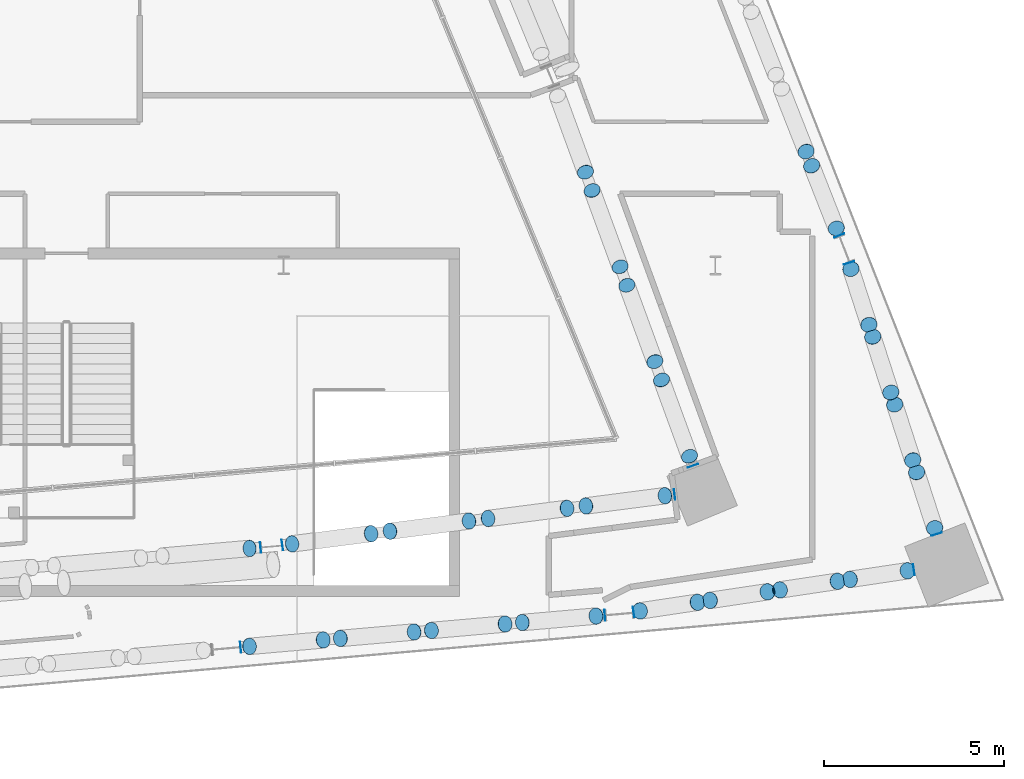
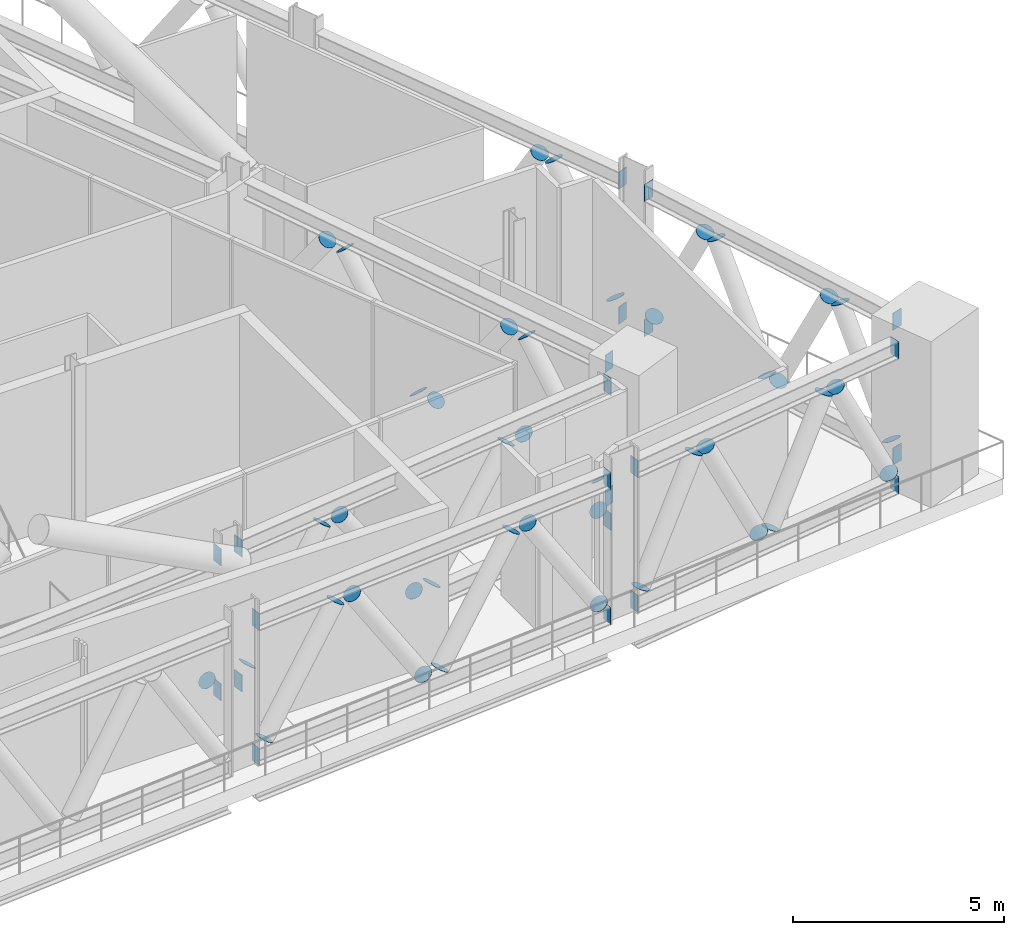
# One storey, part 34 of 42: 65 discrete accessories.
"""IFC4 building model written with IfcOpenShell, lengths in metres."""

from ifc_helpers import new_model, si_unit, direction, frame, origin, origin_2d, place, context, subcontext, project, spatial, rectangle, circle, extrude, material, material_profile, profile_set, type_object, element, save


model = new_model("IFC4")

# Units and contexts
model_context = context("Model", 3, precision=1e-05, world=origin(), true_north=direction((0.0, 1.0)))
body_context = subcontext(model_context, "Body", "Model", "MODEL_VIEW")
ifc_project = project(units=[si_unit("LENGTHUNIT", "METRE"), si_unit("AREAUNIT", "SQUARE_METRE"), si_unit("VOLUMEUNIT", "CUBIC_METRE"), si_unit("PLANEANGLEUNIT", "RADIAN"), si_unit("MASSUNIT", "GRAM", prefix="KILO")], contexts=[model_context])

# Site, building, storey
site_placement = place(None, origin())
site = spatial("IfcSite", under=ifc_project, at=site_placement, CompositionType="ELEMENT")
building_placement = place(site_placement, origin())
building = spatial("IfcBuilding", under=site, at=building_placement, Name="Wharfspan Tower", CompositionType="ELEMENT")
storey_placement = place(building_placement, frame((0.0, 0.0, 147.100098)))
storey = spatial("IfcBuildingStorey", under=building, at=storey_placement, Name="L35", CompositionType="ELEMENT", Elevation=147.100098)

# Discrete accessories
ifc_material_1 = material(Name="Steel S460NH", Category="steel")
ifc_material_profile_1 = material_profile(ifc_material_1, circle(Radius=0.228516, at=origin_2d()))
ifc_profile_set_1 = profile_set([ifc_material_profile_1], Name="Steel S460NH")
discrete_accessory_type_1 = type_object("IfcDiscreteAccessoryType", Name="End plate CHS 457x16", PredefinedType="BRACKET", material=ifc_profile_set_1)
for number, where, z_axis, x_axis, name in (
    (1, (71.050781, 3.631348, 0.640137), (0.614899, 0.049192, -0.78707), (-0.079745, 0.996811, 0.0), "End plate CHS 457x16"),
    (2, (72.230225, 3.758301, 0.623291), (0.586588, 0.073324, 0.806559), (-0.124036, 0.992281, 0.0), "End plate CHS 457x16"),
):
    element("IfcDiscreteAccessory", number, at=place(storey_placement, frame(where, z_axis=z_axis, x_axis=x_axis)), inside=storey, type_object=discrete_accessory_type_1, Name=name, PredefinedType="BRACKET", context=body_context, shape_type="SweptSolid", body=[
        extrude(circle(Radius=0.228516, at=origin_2d()), origin(), (0.0, 0.0, 1.0), 0.01001),
    ])
for number, where, z_axis, x_axis, name in (
    (3, (74.42627, 4.041748, 3.768311), (0.575191, 0.071899, 0.814853), (-0.124036, 0.992275, 1e-06), "End plate CHS 457x16"),
    (4, (74.953369, 4.109863, 3.776611), (0.575191, 0.071899, -0.814853), (-0.124036, 0.992275, -1e-06), "End plate CHS 457x16"),
):
    element("IfcDiscreteAccessory", number, at=place(storey_placement, frame(where, z_axis=z_axis, x_axis=x_axis)), inside=storey, type_object=discrete_accessory_type_1, Name=name, PredefinedType="BRACKET", context=body_context, shape_type="SweptSolid", body=[
        extrude(circle(Radius=0.228516, at=origin_2d()), origin(), (0.0, 0.0, 1.0), 0.010254),
    ])
for number, where, z_axis, x_axis, name in (
    (5, (77.149658, 4.393555, 0.631348), (0.570209, 0.074375, -0.818126), (-0.129339, 0.9916, 0.0), "End plate CHS 457x16"),
    (6, (77.676758, 4.46167, 0.623291), (0.570209, 0.074375, 0.818126), (-0.129339, 0.9916, 0.0), "End plate CHS 457x16"),
):
    element("IfcDiscreteAccessory", number, at=place(storey_placement, frame(where, z_axis=z_axis, x_axis=x_axis)), inside=storey, type_object=discrete_accessory_type_1, Name=name, PredefinedType="BRACKET", context=body_context, shape_type="SweptSolid", body=[
        extrude(circle(Radius=0.228516, at=origin_2d()), origin(), (0.0, 0.0, 1.0), 0.009766),
    ])
for number, where, z_axis, x_axis, name in (
    (7, (79.872803, 4.745117, 3.768311), (0.558819, 0.072889, 0.82608), (-0.129337, 0.991601, -1e-06), "End plate CHS 457x16"),
    (8, (80.399902, 4.813232, 3.776611), (0.558819, 0.072889, -0.82608), (-0.129337, 0.991601, 1e-06), "End plate CHS 457x16"),
):
    element("IfcDiscreteAccessory", number, at=place(storey_placement, frame(where, z_axis=z_axis, x_axis=x_axis)), inside=storey, type_object=discrete_accessory_type_1, Name=name, PredefinedType="BRACKET", context=body_context, shape_type="SweptSolid", body=[
        extrude(circle(Radius=0.228516, at=origin_2d()), origin(), (0.0, 0.0, 1.0), 0.01001),
    ])
discrete_accessory_1_placement = place(storey_placement, frame((82.595947, 5.096924, 0.631348), z_axis=(0.570209, 0.074375, -0.818126), x_axis=(-0.129339, 0.9916, 0.0)))
element("IfcDiscreteAccessory", 9, at=discrete_accessory_1_placement, inside=storey, type_object=discrete_accessory_type_1, Name="End plate CHS 457x16", PredefinedType="BRACKET", context=body_context, shape_type="SweptSolid", body=[
    extrude(circle(Radius=0.228516, at=origin_2d()), origin(), (0.0, 0.0, 1.0), 0.009766),
])
for number, where, z_axis, x_axis, name in (
    (10, (83.281738, 6.188965, 0.625244), (-0.218346, 0.557996, 0.800603), (-0.931243, -0.364399, 0.0), "End plate CHS 457x16"),
    (11, (82.504883, 8.310303, 3.766602), (-0.218346, 0.557996, 0.800603), (-0.931243, -0.364399, 0.0), "End plate CHS 457x16"),
):
    element("IfcDiscreteAccessory", number, at=place(storey_placement, frame(where, z_axis=z_axis, x_axis=x_axis)), inside=storey, type_object=discrete_accessory_type_1, Name=name, PredefinedType="BRACKET", context=body_context, shape_type="SweptSolid", body=[
        extrude(circle(Radius=0.228516, at=origin_2d()), origin(), (0.0, 0.0, 1.0), 0.01001),
    ])
for number, where, z_axis, x_axis, name in (
    (12, (82.317139, 8.822754, 3.774658), (-0.197727, 0.543749, -0.815623), (-0.939797, -0.341743, 1e-06), "End plate CHS 457x16"),
    (13, (81.540283, 10.944092, 0.633301), (-0.197727, 0.543749, -0.815623), (-0.939797, -0.341743, 1e-06), "End plate CHS 457x16"),
):
    element("IfcDiscreteAccessory", number, at=place(storey_placement, frame(where, z_axis=z_axis, x_axis=x_axis)), inside=storey, type_object=discrete_accessory_type_1, Name=name, PredefinedType="BRACKET", context=body_context, shape_type="SweptSolid", body=[
        extrude(circle(Radius=0.228516, at=origin_2d()), origin(), (0.0, 0.0, 1.0), 0.009766),
    ])
for number, where, z_axis, x_axis, name in (
    (14, (81.352539, 11.456299, 0.625244), (-0.195064, 0.560809, 0.804639), (-0.944495, -0.32852, 0.0), "End plate CHS 457x16"),
    (15, (80.575684, 13.577637, 3.766602), (-0.195064, 0.560809, 0.804639), (-0.944495, -0.32852, 0.0), "End plate CHS 457x16"),
):
    element("IfcDiscreteAccessory", number, at=place(storey_placement, frame(where, z_axis=z_axis, x_axis=x_axis)), inside=storey, type_object=discrete_accessory_type_1, Name=name, PredefinedType="BRACKET", context=body_context, shape_type="SweptSolid", body=[
        extrude(circle(Radius=0.228516, at=origin_2d()), origin(), (0.0, 0.0, 1.0), 0.01001),
    ])
discrete_accessory_2_placement = place(storey_placement, frame((80.388184, 14.090088, 3.774658), z_axis=(-0.197727, 0.543749, -0.815623), x_axis=(-0.939797, -0.341743, 1e-06)))
element("IfcDiscreteAccessory", 16, at=discrete_accessory_2_placement, inside=storey, type_object=discrete_accessory_type_1, Name="End plate CHS 457x16", PredefinedType="BRACKET", context=body_context, shape_type="SweptSolid", body=[
    extrude(circle(Radius=0.228516, at=origin_2d()), origin(), (0.0, 0.0, 1.0), 0.009766),
])
for number, where, z_axis, x_axis, name in (
    (17, (71.046875, 0.908936, 0.616211), (0.559645, 0.048665, 0.827302), (-0.086627, 0.99624, -2e-06), "End plate CHS 457x16"),
    (18, (73.094971, 1.088135, 3.775391), (0.54259, 0.049326, 0.838548), (-0.090535, 0.995892, 0.0), "End plate CHS 457x16"),
    (19, (73.575195, 1.130127, 3.783691), (0.54259, 0.049326, -0.838548), (-0.090535, 0.995892, 0.0), "End plate CHS 457x16"),
    (20, (75.623047, 1.309326, 0.624512), (0.559645, 0.048665, -0.827302), (-0.086627, 0.99624, 2e-06), "End plate CHS 457x16"),
    (21, (76.103516, 1.351318, 0.616211), (0.54259, 0.049326, 0.838548), (-0.090535, 0.995892, 0.0), "End plate CHS 457x16"),
    (22, (78.151367, 1.530518, 3.775391), (0.54259, 0.049326, 0.838548), (-0.090535, 0.995892, 0.0), "End plate CHS 457x16"),
    (23, (78.631592, 1.57251, 3.783691), (0.559645, 0.048665, -0.827302), (-0.086627, 0.99624, 2e-06), "End plate CHS 457x16"),
    (24, (80.679688, 1.751709, 0.624512), (0.54259, 0.049326, -0.838548), (-0.090535, 0.995892, 0.0), "End plate CHS 457x16"),
):
    element("IfcDiscreteAccessory", number, at=place(storey_placement, frame(where, z_axis=z_axis, x_axis=x_axis)), inside=storey, type_object=discrete_accessory_type_1, Name=name, PredefinedType="BRACKET", context=body_context, shape_type="SweptSolid", body=[
        extrude(circle(Radius=0.228516, at=origin_2d()), origin(), (0.0, 0.0, 1.0), 0.01001),
    ])
discrete_accessory_3_placement = place(storey_placement, frame((81.902832, 1.894775, 0.593994), z_axis=(0.446663, 0.049629, 0.893325), x_axis=(-0.110431, 0.993883, 0.0)))
element("IfcDiscreteAccessory", 25, at=discrete_accessory_3_placement, inside=storey, type_object=discrete_accessory_type_1, Name="End plate CHS 457x16", PredefinedType="BRACKET", context=body_context, shape_type="SweptSolid", body=[
    extrude(circle(Radius=0.228516, at=origin_2d()), origin(), (0.0, 0.0, 1.0), 0.009766),
])
discrete_accessory_4_placement = place(storey_placement, frame((83.500732, 2.134521, 3.796875), z_axis=(0.455621, 0.07194, 0.887262), x_axis=(-0.155964, 0.987762, 1e-06)))
element("IfcDiscreteAccessory", 26, at=discrete_accessory_4_placement, inside=storey, type_object=discrete_accessory_type_1, Name="End plate CHS 457x16", PredefinedType="BRACKET", context=body_context, shape_type="SweptSolid", body=[
    extrude(circle(Radius=0.228516, at=origin_2d()), origin(), (0.0, 0.0, 1.0), 0.010254),
])
discrete_accessory_5_placement = place(storey_placement, frame((83.848633, 2.186768, 3.805908), z_axis=(0.43695, 0.04855, -0.898175), x_axis=(-0.110432, 0.993888, 0.0)))
element("IfcDiscreteAccessory", 27, at=discrete_accessory_5_placement, inside=storey, type_object=discrete_accessory_type_1, Name="End plate CHS 457x16", PredefinedType="BRACKET", context=body_context, shape_type="SweptSolid", body=[
    extrude(circle(Radius=0.228516, at=origin_2d()), origin(), (0.0, 0.0, 1.0), 0.01001),
])
for number, where, z_axis, x_axis, name in (
    (28, (85.446533, 2.426514, 0.602783), (0.445976, 0.074329, -0.891953), (-0.164398, 0.986392, 0.0), "End plate CHS 457x16"),
    (29, (85.794189, 2.47876, 0.593994), (0.445976, 0.074329, 0.891953), (-0.164398, 0.986392, 0.0), "End plate CHS 457x16"),
):
    element("IfcDiscreteAccessory", number, at=place(storey_placement, frame(where, z_axis=z_axis, x_axis=x_axis)), inside=storey, type_object=discrete_accessory_type_1, Name=name, PredefinedType="BRACKET", context=body_context, shape_type="SweptSolid", body=[
        extrude(circle(Radius=0.228516, at=origin_2d()), origin(), (0.0, 0.0, 1.0), 0.009766),
    ])
for number, where, z_axis, x_axis, name in (
    (30, (87.392334, 2.718506, 3.796875), (0.436308, 0.072718, 0.896854), (-0.164399, 0.986394, 0.0), "End plate CHS 457x16"),
    (31, (87.73999, 2.770752, 3.805908), (0.436308, 0.072718, -0.896854), (-0.164399, 0.986394, 0.0), "End plate CHS 457x16"),
    (32, (89.337891, 3.010498, 0.602783), (0.465496, 0.073499, -0.881993), (-0.155964, 0.987765, -1e-06), "End plate CHS 457x16"),
    (33, (90.095703, 4.198242, 0.594482), (-0.123278, 0.443802, 0.887605), (-0.963521, -0.267644, 0.0), "End plate CHS 457x16"),
    (34, (89.595459, 5.744385, 3.796387), (-0.120631, 0.434271, 0.892668), (-0.963517, -0.267644, 0.0), "End plate CHS 457x16"),
    (35, (89.486572, 6.081543, 3.80542), (-0.145779, 0.41304, -0.89897), (-0.942986, -0.332819, 0.0), "End plate CHS 457x16"),
):
    element("IfcDiscreteAccessory", number, at=place(storey_placement, frame(where, z_axis=z_axis, x_axis=x_axis)), inside=storey, type_object=discrete_accessory_type_1, Name=name, PredefinedType="BRACKET", context=body_context, shape_type="SweptSolid", body=[
        extrude(circle(Radius=0.228516, at=origin_2d()), origin(), (0.0, 0.0, 1.0), 0.01001),
    ])
discrete_accessory_6_placement = place(storey_placement, frame((88.986328, 7.627686, 0.603271), z_axis=(-0.149025, 0.422238, -0.894151), x_axis=(-0.942994, -0.332821, 0.0)))
element("IfcDiscreteAccessory", 36, at=discrete_accessory_6_placement, inside=storey, type_object=discrete_accessory_type_1, Name="End plate CHS 457x16", PredefinedType="BRACKET", context=body_context, shape_type="SweptSolid", body=[
    extrude(circle(Radius=0.228516, at=origin_2d()), origin(), (0.0, 0.0, 1.0), 0.009766),
])
discrete_accessory_7_placement = place(storey_placement, frame((88.877197, 7.9646, 0.594482), z_axis=(-0.147442, 0.442326, 0.884652), x_axis=(-0.948684, -0.316228, 0.0)))
element("IfcDiscreteAccessory", 37, at=discrete_accessory_7_placement, inside=storey, type_object=discrete_accessory_type_1, Name="End plate CHS 457x16", PredefinedType="BRACKET", context=body_context, shape_type="SweptSolid", body=[
    extrude(circle(Radius=0.228516, at=origin_2d()), origin(), (0.0, 0.0, 1.0), 0.01001),
])
discrete_accessory_8_placement = place(storey_placement, frame((88.376953, 9.510742, 3.796387), z_axis=(-0.144296, 0.432887, 0.889824), x_axis=(-0.948685, -0.316227, -1e-06)))
element("IfcDiscreteAccessory", 38, at=discrete_accessory_8_placement, inside=storey, type_object=discrete_accessory_type_1, Name="End plate CHS 457x16", PredefinedType="BRACKET", context=body_context, shape_type="SweptSolid", body=[
    extrude(circle(Radius=0.228516, at=origin_2d()), origin(), (0.0, 0.0, 1.0), 0.010254),
])
for number, where, z_axis, x_axis, name in (
    (39, (88.267822, 9.847656, 3.80542), (-0.120631, 0.434271, -0.892668), (-0.963517, -0.267644, 0.0), "End plate CHS 457x16"),
    (40, (87.767578, 11.393799, 0.603271), (-0.123278, 0.443802, -0.887605), (-0.963521, -0.267644, 0.0), "End plate CHS 457x16"),
):
    element("IfcDiscreteAccessory", number, at=place(storey_placement, frame(where, z_axis=z_axis, x_axis=x_axis)), inside=storey, type_object=discrete_accessory_type_1, Name=name, PredefinedType="BRACKET", context=body_context, shape_type="SweptSolid", body=[
        extrude(circle(Radius=0.228516, at=origin_2d()), origin(), (0.0, 0.0, 1.0), 0.01001),
    ])
discrete_accessory_9_placement = place(storey_placement, frame((87.361084, 12.526855, 0.607178), z_axis=(-0.173117, 0.469888, 0.865584), x_axis=(-0.938346, -0.345709, 1e-06)))
element("IfcDiscreteAccessory", 41, at=discrete_accessory_9_placement, inside=storey, type_object=discrete_accessory_type_1, Name="End plate CHS 457x16", PredefinedType="BRACKET", context=body_context, shape_type="SweptSolid", body=[
    extrude(circle(Radius=0.228516, at=origin_2d()), origin(), (0.0, 0.0, 1.0), 0.009766),
])
discrete_accessory_10_placement = place(storey_placement, frame((86.677734, 14.266113, 3.783936), z_axis=(-0.190693, 0.476731, 0.858116), x_axis=(-0.928477, -0.371392, 0.0)))
element("IfcDiscreteAccessory", 42, at=discrete_accessory_10_placement, inside=storey, type_object=discrete_accessory_type_1, Name="End plate CHS 457x16", PredefinedType="BRACKET", context=body_context, shape_type="SweptSolid", body=[
    extrude(circle(Radius=0.228516, at=origin_2d()), origin(), (0.0, 0.0, 1.0), 0.010254),
])
discrete_accessory_11_placement = place(storey_placement, frame((86.521973, 14.662109, 3.792725), z_axis=(-0.169476, 0.460007, -0.871592), x_axis=(-0.938346, -0.345704, 1e-06)))
element("IfcDiscreteAccessory", 43, at=discrete_accessory_11_placement, inside=storey, type_object=discrete_accessory_type_1, Name="End plate CHS 457x16", PredefinedType="BRACKET", context=body_context, shape_type="SweptSolid", body=[
    extrude(circle(Radius=0.228516, at=origin_2d()), origin(), (0.0, 0.0, 1.0), 0.01001),
])
ifc_material_2 = material(Name="Steel S355J2", Category="steel")
ifc_material_profile_2 = material_profile(ifc_material_2, rectangle(XDim=0.300049, YDim=0.5, at=origin_2d()))
ifc_profile_set_2 = profile_set([ifc_material_profile_2], Name="Steel S355J2")
discrete_accessory_type_2 = type_object("IfcDiscreteAccessoryType", Name="End plate HEB 500", PredefinedType="BRACKET", material=ifc_profile_set_2)
for number, where, z_axis, x_axis, name in (
    (44, (71.353027, 3.657715, 4.149902), (0.995275, 0.0971, 0.0), (-0.0971, 0.995275, 0.0), "End plate HEB 500"),
    (45, (71.353027, 3.657715, 0.25), (0.995275, 0.0971, 0.0), (-0.0971, 0.995275, 0.0), "End plate HEB 500"),
    (46, (71.959717, 3.723145, 4.149902), (0.989461, 0.144799, 0.0), (-0.144799, 0.989461, 0.0), "End plate HEB 500"),
):
    element("IfcDiscreteAccessory", number, at=place(storey_placement, frame(where, z_axis=z_axis, x_axis=x_axis)), inside=storey, type_object=discrete_accessory_type_2, Name=name, PredefinedType="BRACKET", context=body_context, shape_type="SweptSolid", body=[
        extrude(rectangle(XDim=0.300049, YDim=0.5, at=origin_2d()), origin(), (0.0, 0.0, 1.0), 0.01001),
    ])
discrete_accessory_12_placement = place(storey_placement, frame((82.862305, 5.131348, 4.149902), z_axis=(0.992278, 0.124035, 0.0), x_axis=(-0.124035, 0.992278, 0.0)))
element("IfcDiscreteAccessory", 47, at=discrete_accessory_12_placement, inside=storey, type_object=discrete_accessory_type_2, Name="End plate HEB 500", PredefinedType="BRACKET", context=body_context, shape_type="SweptSolid", body=[
    extrude(rectangle(XDim=0.300049, YDim=0.5, at=origin_2d()), origin(), (0.0, 0.0, 1.0), 0.009766),
])
discrete_accessory_13_placement = place(storey_placement, frame((71.959717, 3.723145, 0.25), z_axis=(0.989461, 0.144799, 0.0), x_axis=(-0.144799, 0.989461, 0.0)))
element("IfcDiscreteAccessory", 48, at=discrete_accessory_13_placement, inside=storey, type_object=discrete_accessory_type_2, Name="End plate HEB 500", PredefinedType="BRACKET", context=body_context, shape_type="SweptSolid", body=[
    extrude(rectangle(XDim=0.300049, YDim=0.5, at=origin_2d()), origin(), (0.0, 0.0, 1.0), 0.01001),
])
for number, where, z_axis, x_axis, name in (
    (49, (82.862305, 5.131348, 0.25), (0.992278, 0.124035, 0.0), (-0.124035, 0.992278, 0.0), "End plate HEB 500"),
    (50, (83.37793, 5.92627, 4.149902), (-0.345705, 0.938343, 0.0), (-0.938343, -0.345705, 0.0), "End plate HEB 500"),
    (51, (83.37793, 5.92627, 0.25), (-0.345705, 0.938343, 0.0), (-0.938343, -0.345705, 0.0), "End plate HEB 500"),
):
    element("IfcDiscreteAccessory", number, at=place(storey_placement, frame(where, z_axis=z_axis, x_axis=x_axis)), inside=storey, type_object=discrete_accessory_type_2, Name=name, PredefinedType="BRACKET", context=body_context, shape_type="SweptSolid", body=[
        extrude(rectangle(XDim=0.300049, YDim=0.5, at=origin_2d()), origin(), (0.0, 0.0, 1.0), 0.009766),
    ])
for number, where, z_axis, x_axis, name in (
    (52, (70.799561, 0.887207, 4.149902), (0.995275, 0.0971, 0.0), (-0.0971, 0.995275, 0.0), "End plate HEB 500"),
    (53, (80.922363, 1.772949, 4.149902), (0.997334, 0.072976, 0.0), (-0.072976, 0.997334, 0.0), "End plate HEB 500"),
    (54, (70.799561, 0.887207, 0.25), (0.995275, 0.0971, 0.0), (-0.0971, 0.995275, 0.0), "End plate HEB 500"),
    (55, (80.922363, 1.772949, 0.25), (0.997334, 0.072976, 0.0), (-0.072976, 0.997334, 0.0), "End plate HEB 500"),
    (56, (81.721191, 1.867432, 4.149902), (0.989461, 0.144799, 0.0), (-0.144799, 0.989461, 0.0), "End plate HEB 500"),
):
    element("IfcDiscreteAccessory", number, at=place(storey_placement, frame(where, z_axis=z_axis, x_axis=x_axis)), inside=storey, type_object=discrete_accessory_type_2, Name=name, PredefinedType="BRACKET", context=body_context, shape_type="SweptSolid", body=[
        extrude(rectangle(XDim=0.300049, YDim=0.5, at=origin_2d()), origin(), (0.0, 0.0, 1.0), 0.01001),
    ])
discrete_accessory_14_placement = place(storey_placement, frame((89.51416, 3.037109, 4.149902), z_axis=(0.988936, 0.14834, 0.0), x_axis=(-0.14834, 0.988936, 0.0)))
element("IfcDiscreteAccessory", 57, at=discrete_accessory_14_placement, inside=storey, type_object=discrete_accessory_type_2, Name="End plate HEB 500", PredefinedType="BRACKET", context=body_context, shape_type="SweptSolid", body=[
    extrude(rectangle(XDim=0.300049, YDim=0.5, at=origin_2d()), origin(), (0.0, 0.0, 1.0), 0.009766),
])
discrete_accessory_15_placement = place(storey_placement, frame((81.721191, 1.867432, 0.25), z_axis=(0.989461, 0.144799, 0.0), x_axis=(-0.144799, 0.989461, 0.0)))
element("IfcDiscreteAccessory", 58, at=discrete_accessory_15_placement, inside=storey, type_object=discrete_accessory_type_2, Name="End plate HEB 500", PredefinedType="BRACKET", context=body_context, shape_type="SweptSolid", body=[
    extrude(rectangle(XDim=0.300049, YDim=0.5, at=origin_2d()), origin(), (0.0, 0.0, 1.0), 0.01001),
])
discrete_accessory_16_placement = place(storey_placement, frame((89.51416, 3.037109, 0.25), z_axis=(0.988936, 0.14834, 0.0), x_axis=(-0.14834, 0.988936, 0.0)))
element("IfcDiscreteAccessory", 59, at=discrete_accessory_16_placement, inside=storey, type_object=discrete_accessory_type_2, Name="End plate HEB 500", PredefinedType="BRACKET", context=body_context, shape_type="SweptSolid", body=[
    extrude(rectangle(XDim=0.300049, YDim=0.5, at=origin_2d()), origin(), (0.0, 0.0, 1.0), 0.009766),
])
for number, where, z_axis, x_axis, name in (
    (60, (90.152588, 4.022461, 4.149902), (-0.294086, 0.955779, 0.0), (-0.955779, -0.294086, 0.0), "End plate HEB 500"),
    (61, (87.712402, 11.564453, 4.149902), (-0.294086, 0.955779, 0.0), (-0.955779, -0.294086, 0.0), "End plate HEB 500"),
    (62, (90.152588, 4.022461, 0.25), (-0.294086, 0.955779, 0.0), (-0.955779, -0.294086, 0.0), "End plate HEB 500"),
    (63, (87.712402, 11.564453, 0.25), (-0.294086, 0.955779, 0.0), (-0.955779, -0.294086, 0.0), "End plate HEB 500"),
    (64, (87.44165, 12.322021, 4.149902), (-0.367167, 0.930155, 0.0), (-0.930155, -0.367167, 0.0), "End plate HEB 500"),
    (65, (87.44165, 12.322021, 0.25), (-0.367167, 0.930155, 0.0), (-0.930155, -0.367167, 0.0), "End plate HEB 500"),
):
    element("IfcDiscreteAccessory", number, at=place(storey_placement, frame(where, z_axis=z_axis, x_axis=x_axis)), inside=storey, type_object=discrete_accessory_type_2, Name=name, PredefinedType="BRACKET", context=body_context, shape_type="SweptSolid", body=[
        extrude(rectangle(XDim=0.300049, YDim=0.5, at=origin_2d()), origin(), (0.0, 0.0, 1.0), 0.01001),
    ])

save(model, "model.ifc")
